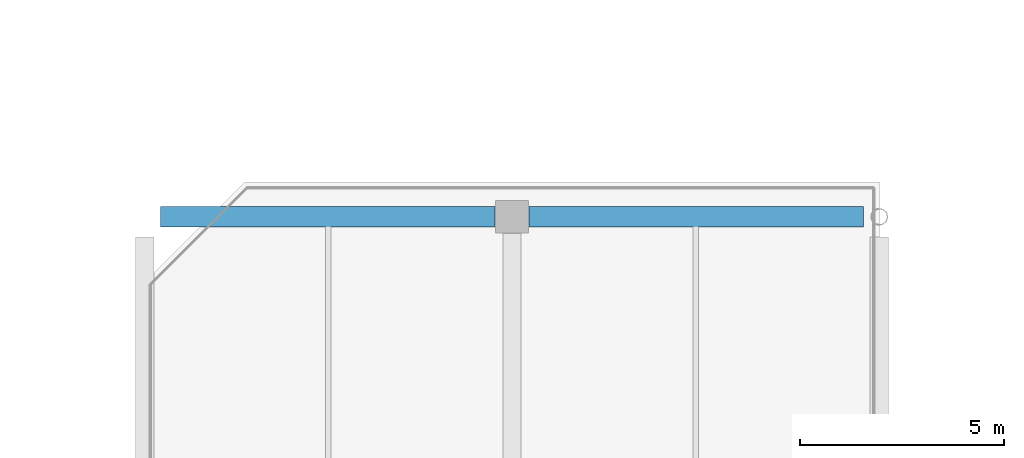
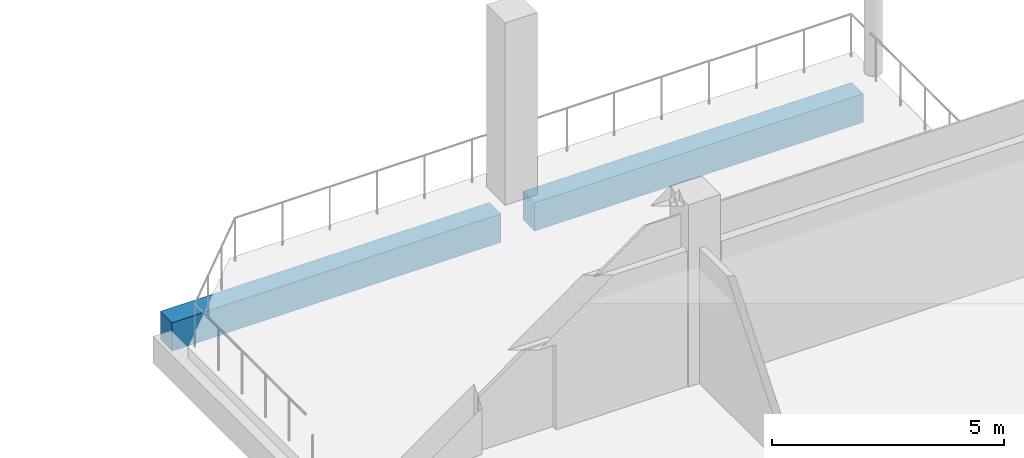
# One storey, part 30 of 114: 2 beams.
"""IFC4 building model written with IfcOpenShell, lengths in metres."""

from ifc_helpers import new_model, si_unit, direction, frame, origin, origin_2d, place, context, subcontext, project, spatial, rectangle, extrude, material, material_profile, profile_set, type_object, element, save


model = new_model("IFC4")

# Units and contexts
model_context = context("Model", 3, precision=1e-05, world=origin(), true_north=direction((0.0, 1.0)))
body_context = subcontext(model_context, "Body", "Model", "MODEL_VIEW")
ifc_project = project(units=[si_unit("LENGTHUNIT", "METRE"), si_unit("AREAUNIT", "SQUARE_METRE"), si_unit("VOLUMEUNIT", "CUBIC_METRE"), si_unit("PLANEANGLEUNIT", "RADIAN"), si_unit("MASSUNIT", "GRAM", prefix="KILO"), si_unit("THERMODYNAMICTEMPERATUREUNIT", "KELVIN"), si_unit("POWERUNIT", "WATT")], contexts=[model_context])

# Site, building, storey
site_placement = place(None, origin())
site = spatial("IfcSite", under=ifc_project, at=site_placement, CompositionType="ELEMENT")
building_placement = place(site_placement, origin())
building = spatial("IfcBuilding", under=site, at=building_placement, Name="Sindhuravela Promenade Stadium", CompositionType="ELEMENT")
storey_placement = place(building_placement, frame((0.0, 0.0, 24.0)))
storey = spatial("IfcBuildingStorey", under=building, at=storey_placement, Name="L05", CompositionType="ELEMENT", Elevation=24.0)

# Beams
ifc_material = material(Name="Concrete M40", Category="concrete")
ifc_material_profile = material_profile(ifc_material, rectangle(XDim=0.5, YDim=0.75, at=origin_2d()), Name="RC 500x750")
ifc_profile_set = profile_set([ifc_material_profile], Name="Concrete M40")
beam_type = type_object("IfcBeamType", Name="RC-BM-500x750", PredefinedType="BEAM", material=ifc_profile_set)
for number, where, z_axis, x_axis, name in (
    (1, (9.389892578125, 124.89990234375, -0.68505859375), (1.0, 0.0, 0.0), (0.0, 1.0, 0.0), "Primary girder GB06 WEST L05"),
    (2, (18.4150390625, 124.89990234375, -0.68505859375), (1.0, 0.0, 0.0), (0.0, 1.0, 0.0), "Primary girder GB06 WEST L05"),
):
    element("IfcBeam", number, at=place(storey_placement, frame(where, z_axis=z_axis, x_axis=x_axis)), inside=storey, type_object=beam_type, Name=name, PredefinedType="BEAM", context=body_context, shape_type="SweptSolid", body=[
        extrude(rectangle(XDim=0.5, YDim=0.75, at=origin_2d()), origin(), (0.0, 0.0, 1.0), 8.195068359375),
    ])

save(model, "model.ifc")
